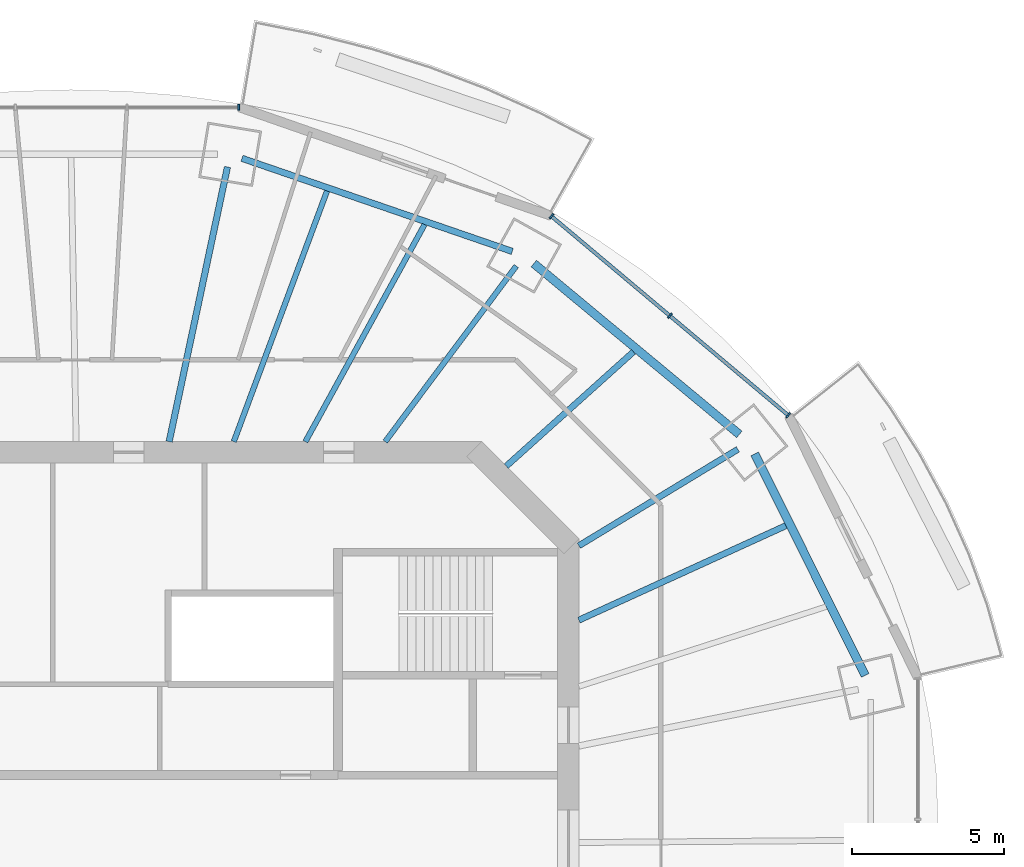
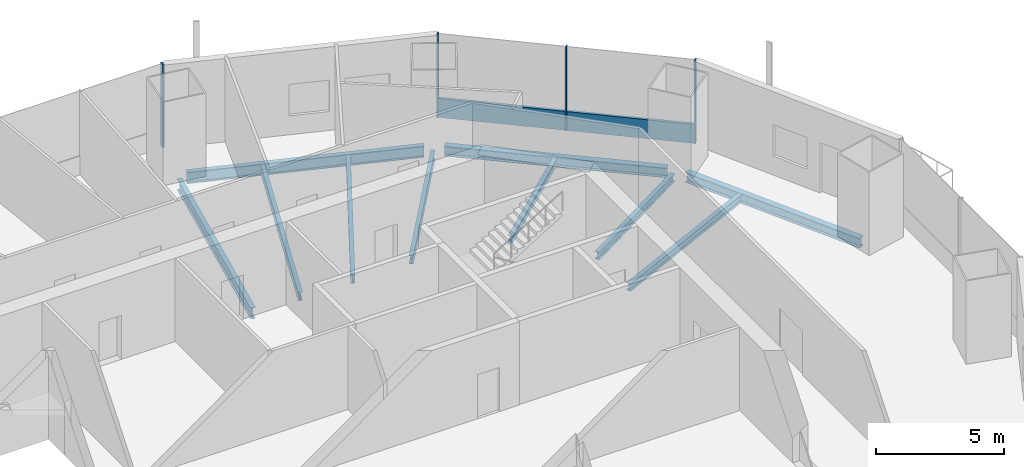
# One storey, part 6 of 16: 10 beams, 5 members, 2 elements without a shape of their own.
"""IFC4 building model written with IfcOpenShell, lengths in metres."""

import ifcopenshell
import ifcopenshell.guid

model = None  # the IFC model being written
_history = None  # IfcOwnerHistory: only IFC2X3 demands one
_inside = {}  # id of a spatial element -> (the spatial element, [elements in it])
_under = {}  # id of a project, library or spatial element -> (it, [spatial elements below it])
_declared = {}  # id of a project -> (the project, [libraries it declares])
_typed = {}  # id of a type object -> (the type object, [elements of that type])
_made_of = {}  # id of a material, layer set ... -> (it, [elements and type objects made of it])


def new_model(schema):
    """Start an empty IFC model of exactly this schema.

    Asked for "IFC4X3", IfcOpenShell would pick the latest addendum, in which some entities
    have other attributes; the version numbers below select the first issue.
    IFC2X3 requires an IfcOwnerHistory on every rooted entity: one is made here for all.
    """
    global model, _history
    if schema == "IFC4X3":
        model = ifcopenshell.file(schema_version=(4, 3, 0, 0))
    else:
        model = ifcopenshell.file(schema=schema)
    _inside.clear()
    _under.clear()
    _declared.clear()
    _typed.clear()
    _made_of.clear()
    _history = None
    if model.schema == "IFC2X3":
        org = make("IfcOrganization", Name="unknown")
        user = make(
            "IfcPersonAndOrganization",
            ThePerson=make("IfcPerson", FamilyName="unknown"),
            TheOrganization=org,
        )
        app = make(
            "IfcApplication",
            ApplicationDeveloper=org,
            Version="unknown",
            ApplicationFullName="unknown",
            ApplicationIdentifier="unknown",
        )
        _history = make(
            "IfcOwnerHistory",
            OwningUser=user,
            OwningApplication=app,
            ChangeAction="ADDED",
            CreationDate=0,
        )
    return model


def make(cls, **values):
    """One entity of the class cls with the attributes given. An attribute that is None is left unset."""
    return model.create_entity(
        cls, **{name: value for name, value in values.items() if value is not None}
    )


def rooted(cls, **values):
    """An entity with a GlobalId (a new one), such as an element, a storey or a relation."""
    return make(cls, GlobalId=ifcopenshell.guid.new(), OwnerHistory=_history, **values)


def si_unit(unit_type, name, prefix=None):
    """IfcSIUnit, for example si_unit("LENGTHUNIT", "METRE", prefix="MILLI")."""
    return make("IfcSIUnit", UnitType=unit_type, Prefix=prefix, Name=name)


def assignment(units):
    """IfcUnitAssignment: the units of a project."""
    return None if units is None else make("IfcUnitAssignment", Units=units)


def point(xyz):
    """IfcCartesianPoint."""
    return None if xyz is None else make("IfcCartesianPoint", Coordinates=xyz)


def direction(xyz):
    """IfcDirection."""
    return None if xyz is None else make("IfcDirection", DirectionRatios=xyz)


def frame(location, z_axis=None, x_axis=None):
    """IfcAxis2Placement3D, a coordinate frame: its origin and axes. An axis left out is left unset."""
    return make(
        "IfcAxis2Placement3D",
        Location=point(location),
        Axis=direction(z_axis),
        RefDirection=direction(x_axis),
    )


def frame_2d(location, x_axis=None):
    """IfcAxis2Placement2D, a coordinate frame in the plane: its origin and x axis."""
    return make(
        "IfcAxis2Placement2D", Location=point(location), RefDirection=direction(x_axis)
    )


def origin():
    """The frame at (0, 0, 0) with its axes left unset."""
    return frame((0.0, 0.0, 0.0))


def origin_2d():
    """The frame at (0, 0) in the plane with its x axis left unset."""
    return frame_2d((0.0, 0.0))


def place(relative_to, where):
    """IfcLocalPlacement: puts the frame where relative to a parent placement (None: the world)."""
    return make(
        "IfcLocalPlacement", PlacementRelTo=relative_to, RelativePlacement=where
    )


def context(
    kind, dimensions, precision=None, world=None, true_north=None, identifier=None
):
    """IfcGeometricRepresentationContext, for example the 3D "Model" context."""
    return make(
        "IfcGeometricRepresentationContext",
        ContextIdentifier=identifier,
        ContextType=kind,
        CoordinateSpaceDimension=dimensions,
        Precision=precision,
        WorldCoordinateSystem=world,
        TrueNorth=true_north,
    )


def subcontext(parent, identifier, kind, view, scale=None):
    """IfcGeometricRepresentationSubContext, for example "Body" below "Model"."""
    return make(
        "IfcGeometricRepresentationSubContext",
        ContextIdentifier=identifier,
        ContextType=kind,
        ParentContext=parent,
        TargetScale=scale,
        TargetView=view,
    )


def project(units=None, contexts=None):
    """IfcProject with its units and contexts."""
    return rooted(
        "IfcProject",
        Name="project",
        RepresentationContexts=contexts,
        UnitsInContext=assignment(units),
    )


def spatial(cls, under=None, at=None, **own):
    """A site, building, storey or space (cls), placed at a placement, below another one or the project."""
    s = rooted(cls, ObjectPlacement=at, **own)
    if under is not None:
        _under.setdefault(under.id(), (under, []))[1].append(s)
    return s


def profile(cls, at=None, kind="AREA", **sizes):
    """A parametric profile (cls). Its sizes go by their IFC names, for example OverallWidth=200.0."""
    return make(cls, ProfileType=kind, Position=at, **sizes)


def rectangle(**sizes):
    """IfcRectangleProfileDef."""
    return profile("IfcRectangleProfileDef", **sizes)


def i_section(**sizes):
    """IfcIShapeProfileDef."""
    return profile("IfcIShapeProfileDef", **sizes)


def extrude(swept, where, along, depth):
    """IfcExtrudedAreaSolid: the profile swept, set in the frame where, extruded along a direction by depth."""
    return make(
        "IfcExtrudedAreaSolid",
        SweptArea=swept,
        Position=where,
        ExtrudedDirection=direction(along),
        Depth=depth,
    )


def shape(context_of_items, identifier, shape_type, items):
    """IfcShapeRepresentation: the items that make up one representation, for example the "Body"."""
    return make(
        "IfcShapeRepresentation",
        ContextOfItems=context_of_items,
        RepresentationIdentifier=identifier,
        RepresentationType=shape_type,
        Items=items,
    )


def material(Name=None, Category=None):
    """IfcMaterial."""
    return make("IfcMaterial", Name=Name, Category=Category)


def material_profile(
    of_material, cross_section, Name=None, Category=None, Priority=None
):
    """IfcMaterialProfile: a cross section and its material."""
    return make(
        "IfcMaterialProfile",
        Name=Name,
        Material=of_material,
        Profile=cross_section,
        Priority=Priority,
        Category=Category,
    )


def profile_set(profiles, Name=None, composite=None):
    """IfcMaterialProfileSet."""
    return make(
        "IfcMaterialProfileSet",
        Name=Name,
        MaterialProfiles=profiles,
        CompositeProfile=composite,
    )


def made_of(thing, what):
    """Note that an element or type object is made of a material, layer set ...; save() writes the relation."""
    if what is not None:
        _made_of.setdefault(what.id(), (what, []))[1].append(thing)
    return thing


def type_object(cls, material=None, **own):
    """A type object (cls), such as IfcWallType, which elements share."""
    return made_of(rooted(cls, **own), material)


def element(
    cls,
    number,
    at=None,
    inside=None,
    cuts=None,
    type_object=None,
    material=None,
    context=None,
    identifier="Body",
    shape_type=None,
    held_by="IfcProductDefinitionShape",
    body=None,
    shapes=None,
    **own,
):
    """One element of the class cls, such as IfcWall. Its Tag is "e" and its number.

    at: its placement. inside: the storey or other place that contains it. cuts: it is an
    opening in that element (IfcRelVoidsElement). A single representation is given by context,
    identifier, shape_type and body (its items); several are given by shapes. held_by: the class
    of the entity that holds the representations. save() writes the other relations.
    """
    e = rooted(cls, Tag="e%d" % number, ObjectPlacement=at, **own)
    if body is not None:
        shapes = [shape(context, identifier, shape_type, body)]
    if shapes is not None:
        e.Representation = make(held_by, Representations=shapes)
    if inside is not None:
        _inside.setdefault(inside.id(), (inside, []))[1].append(e)
    if cuts is not None:
        rooted(
            "IfcRelVoidsElement", RelatingBuildingElement=cuts, RelatedOpeningElement=e
        )
    if type_object is not None:
        _typed.setdefault(type_object.id(), (type_object, []))[1].append(e)
    return made_of(e, material)


def aggregate(whole, parts):
    """IfcRelAggregates: a whole, such as a stair, and the parts it consists of."""
    return rooted("IfcRelAggregates", RelatingObject=whole, RelatedObjects=parts)


def save(model, path):
    """Write the relations noted so far, then the file.

    IfcRelAggregates (storeys below a building ...), IfcRelContainedInSpatialStructure (elements
    in a storey), IfcRelDefinesByType, IfcRelAssociatesMaterial and IfcRelDeclares: one each for
    every whole, place, type object, material and project.
    """
    for whole, parts in _under.values():
        aggregate(whole, parts)
    for where, things in _inside.values():
        rooted(
            "IfcRelContainedInSpatialStructure",
            RelatedElements=things,
            RelatingStructure=where,
        )
    for kind, things in _typed.values():
        rooted("IfcRelDefinesByType", RelatedObjects=things, RelatingType=kind)
    for what, things in _made_of.values():
        rooted("IfcRelAssociatesMaterial", RelatedObjects=things, RelatingMaterial=what)
    for by, libraries in _declared.values():
        rooted("IfcRelDeclares", RelatingContext=by, RelatedDefinitions=libraries)
    model.write(path)


model = new_model("IFC4")

# Units and contexts
model_context = context("Model", 3, precision=1e-05, world=origin(), true_north=direction((0.0, 1.0)))
body_context = subcontext(model_context, "Body", "Model", "MODEL_VIEW")
ifc_project = project(units=[si_unit("LENGTHUNIT", "METRE"), si_unit("AREAUNIT", "SQUARE_METRE"), si_unit("VOLUMEUNIT", "CUBIC_METRE"), si_unit("PLANEANGLEUNIT", "RADIAN"), si_unit("MASSUNIT", "GRAM", prefix="KILO")], contexts=[model_context])

# Site, building, storey
site_placement = place(None, origin())
site = spatial("IfcSite", under=ifc_project, at=site_placement, CompositionType="ELEMENT")
building_placement = place(site_placement, origin())
building = spatial("IfcBuilding", under=site, at=building_placement, Name="Marenthal Gate Tower", CompositionType="ELEMENT")
storey_placement = place(building_placement, frame((0.0, 0.0, 296.949951171875)))
storey = spatial("IfcBuildingStorey", under=building, at=storey_placement, Name="L66", CompositionType="ELEMENT", Elevation=296.949951171875)

# Curtain wall, members
ifc_material_1 = material(Name="Aluminium and glass", Category="aluminium")
curtain_wall_type = type_object("IfcCurtainWallType", Name="Curtain wall typical high", PredefinedType="NOTDEFINED", material=ifc_material_1)
curtain_wall_1_placement = place(storey_placement, origin())
curtain_wall_1 = element("IfcCurtainWall", 1, at=curtain_wall_1_placement, inside=storey, type_object=curtain_wall_type, Name="Curtain wall L66 bay 2", PredefinedType="NOTDEFINED")
ifc_material_2 = material(Name="Aluminium", Category="aluminium")
ifc_material_profile_1 = material_profile(ifc_material_2, rectangle(XDim=0.199951171875, YDim=0.06005859375, at=origin_2d()), Name="60x200 aluminium mullion")
ifc_profile_set_1 = profile_set([ifc_material_profile_1], Name="Aluminium")
member_type_1 = type_object("IfcMemberType", Name="Mullion 60x200 typical high", PredefinedType="MULLION", material=ifc_profile_set_1)
member_1_placement = place(storey_placement, frame((23.25390625, 14.218505859375, 0.0), z_axis=(0.0, 0.0, 1.0), x_axis=(-0.643479945432, -0.765462970905, 0.0)))
member_1 = element("IfcMember", 2, at=member_1_placement, type_object=member_type_1, Name="Mullion L66 bay 2.1", PredefinedType="MULLION", context=body_context, shape_type="SweptSolid", body=[
    extrude(rectangle(XDim=0.199951171875, YDim=0.06005859375, at=origin_2d()), origin(), (0.0, 0.0, 1.0), 3.969970703125),
])
member_2_placement = place(storey_placement, frame((19.3486328125, 17.50146484375, 0.0), z_axis=(0.0, 0.0, 1.0), x_axis=(-0.643479945432, -0.765462970905, 0.0)))
member_2 = element("IfcMember", 3, at=member_2_placement, type_object=member_type_1, Name="Mullion L66 bay 2.2", PredefinedType="MULLION", context=body_context, shape_type="SweptSolid", body=[
    extrude(rectangle(XDim=0.199951171875, YDim=0.06005859375, at=origin_2d()), origin(), (0.0, 0.0, 1.0), 3.969970703125),
])
member_3_placement = place(storey_placement, frame((15.443359375, 20.784423828125, 0.0), z_axis=(0.0, 0.0, 1.0), x_axis=(-0.643479945432, -0.765462970905, 0.0)))
member_3 = element("IfcMember", 4, at=member_3_placement, type_object=member_type_1, Name="Mullion L66 bay 2.3", PredefinedType="MULLION", context=body_context, shape_type="SweptSolid", body=[
    extrude(rectangle(XDim=0.199951171875, YDim=0.06005859375, at=origin_2d()), origin(), (0.0, 0.0, 1.0), 3.969970703125),
])

# Curtain wall, member
curtain_wall_2_placement = place(storey_placement, origin())
curtain_wall_2 = element("IfcCurtainWall", 5, at=curtain_wall_2_placement, inside=storey, type_object=curtain_wall_type, Name="Curtain wall L66 bay 4", PredefinedType="NOTDEFINED")
member_4_placement = place(storey_placement, frame((5.12548828125, 24.3779296875, 0.0), z_axis=(0.0, 0.0, 1.0), x_axis=(0.0, -1.0, 0.0)))
member_4 = element("IfcMember", 6, at=member_4_placement, type_object=member_type_1, Name="Mullion L66 bay 4.1", PredefinedType="MULLION", context=body_context, shape_type="SweptSolid", body=[
    extrude(rectangle(XDim=0.199951171875, YDim=0.06005859375, at=origin_2d()), origin(), (0.0, 0.0, 1.0), 3.969970703125),
])
aggregate(curtain_wall_2, [member_4])

# Member
ifc_material_3 = material(Name="Aluminium", Category="aluminium")
ifc_material_profile_2 = material_profile(ifc_material_3, rectangle(XDim=0.1201171875, YDim=0.89990234375, at=origin_2d()), Name="120x900 aluminium transom")
ifc_profile_set_2 = profile_set([ifc_material_profile_2], Name="Aluminium")
member_type_2 = type_object("IfcMemberType", Name="Transom 120x900 typical high", PredefinedType="USERDEFINED", material=ifc_profile_set_2)
member_5_placement = place(storey_placement, frame((23.23095703125, 14.23779296875, 0.449951171875), z_axis=(-0.765460155219, 0.643483294866, 0.0), x_axis=(-0.643483294866, -0.765460155219, 0.0)))
member_5 = element("IfcMember", 7, at=member_5_placement, type_object=member_type_2, Name="Transom L66 bay 2", ObjectType="TRANSOM", PredefinedType="USERDEFINED", context=body_context, shape_type="SweptSolid", body=[
    extrude(rectangle(XDim=0.1201171875, YDim=0.89990234375, at=origin_2d()), origin(), (0.0, 0.0, 1.0), 10.143798828125),
])

aggregate(curtain_wall_1, [member_1, member_2, member_3, member_5])

# Beams
ifc_material_4 = material(Name="Steel S355", Category="steel")
ifc_material_profile_3 = material_profile(ifc_material_4, i_section(OverallWidth=0.202880859375, OverallDepth=0.302001953125, WebThickness=0.007568359375, FlangeThickness=0.01318359375, FilletRadius=0.0126953125, at=origin_2d()), Name="W310X60")
ifc_profile_set_3 = profile_set([ifc_material_profile_3], Name="Steel S355")
beam_type_1 = type_object("IfcBeamType", Name="W310X60 beam", PredefinedType="BEAM", material=ifc_profile_set_3)
beam_1_placement = place(storey_placement, frame((18.148193359375, 16.3115234375, -0.3310546875), z_axis=(-0.743743846244, -0.668464726948, 0.0), x_axis=(0.668464726948, -0.743743846244, 0.0)))
element("IfcBeam", 8, at=beam_1_placement, inside=storey, type_object=beam_type_1, Name="BM-L66-19", PredefinedType="BEAM", context=body_context, shape_type="SweptSolid", body=[
    extrude(i_section(OverallWidth=0.202880859375, OverallDepth=0.302001953125, WebThickness=0.007568359375, FlangeThickness=0.01318359375, FilletRadius=0.0126953125, at=origin_2d()), origin(), (0.0, 0.0, 1.0), 5.639892578125),
])
ifc_material_5 = material(Name="Steel S355", Category="steel")
ifc_material_profile_4 = material_profile(ifc_material_5, i_section(OverallWidth=0.205078125, OverallDepth=0.35302734375, WebThickness=0.009521484375, FlangeThickness=0.016845703125, FilletRadius=0.014892578125, at=origin_2d()), Name="W360X79")
ifc_profile_set_4 = profile_set([ifc_material_profile_4], Name="Steel S355")
beam_type_2 = type_object("IfcBeamType", Name="W360X79 beam", PredefinedType="BEAM", material=ifc_profile_set_4)
beam_2_placement = place(storey_placement, frame((21.593017578125, 13.0966796875, -0.3564453125), z_axis=(-0.855023977864, -0.518588466202, 0.0), x_axis=(0.518588466202, -0.855023977864, 0.0)))
element("IfcBeam", 9, at=beam_2_placement, inside=storey, type_object=beam_type_2, Name="BM-L66-02", PredefinedType="BEAM", context=body_context, shape_type="SweptSolid", body=[
    extrude(i_section(OverallWidth=0.205078125, OverallDepth=0.35302734375, WebThickness=0.009521484375, FlangeThickness=0.016845703125, FilletRadius=0.014892578125, at=origin_2d()), origin(), (0.0, 0.0, 1.0), 6.1318359375),
])
beam_3_placement = place(storey_placement, frame((23.1748046875, 10.576904296875, -0.3564453125), z_axis=(-0.909732366313, -0.415195160958, 0.0), x_axis=(0.415195160958, -0.909732366313, 0.0)))
element("IfcBeam", 10, at=beam_3_placement, inside=storey, type_object=beam_type_2, Name="BM-L66-18", PredefinedType="BEAM", context=body_context, shape_type="SweptSolid", body=[
    extrude(i_section(OverallWidth=0.205078125, OverallDepth=0.35302734375, WebThickness=0.009521484375, FlangeThickness=0.016845703125, FilletRadius=0.014892578125, at=origin_2d()), origin(), (0.0, 0.0, 1.0), 7.501953125),
])
ifc_material_6 = material(Name="Steel S355", Category="steel")
ifc_material_profile_5 = material_profile(ifc_material_6, i_section(OverallWidth=0.180908203125, OverallDepth=0.4169921875, WebThickness=0.010986328125, FlangeThickness=0.018310546875, FilletRadius=0.01025390625, at=origin_2d()), Name="W410X85")
ifc_profile_set_5 = profile_set([ifc_material_profile_5], Name="Steel S355")
beam_type_3 = type_object("IfcBeamType", Name="W410X85 beam", PredefinedType="BEAM", material=ifc_profile_set_5)
beam_4_placement = place(storey_placement, frame((14.283447265625, 19.142578125, -0.388427734375), z_axis=(-0.598041666214, -0.801465012008, 0.0), x_axis=(0.801465012008, -0.598041666214, 0.0)))
element("IfcBeam", 11, at=beam_4_placement, inside=storey, type_object=beam_type_3, Name="BM-L66-03", PredefinedType="BEAM", context=body_context, shape_type="SweptSolid", body=[
    extrude(i_section(OverallWidth=0.180908203125, OverallDepth=0.4169921875, WebThickness=0.010986328125, FlangeThickness=0.018310546875, FilletRadius=0.01025390625, at=origin_2d()), origin(), (0.0, 0.0, 1.0), 7.227294921875),
])
beam_5_placement = place(storey_placement, frame((11.259033203125, 20.508544921875, -0.388427734375), z_axis=(-0.481240344401, -0.876588689706, 0.0), x_axis=(0.876588689706, -0.481240344401, 0.0)))
element("IfcBeam", 12, at=beam_5_placement, inside=storey, type_object=beam_type_3, Name="BM-L66-20", PredefinedType="BEAM", context=body_context, shape_type="SweptSolid", body=[
    extrude(i_section(OverallWidth=0.180908203125, OverallDepth=0.4169921875, WebThickness=0.010986328125, FlangeThickness=0.018310546875, FilletRadius=0.01025390625, at=origin_2d()), origin(), (0.0, 0.0, 1.0), 8.166259765625),
])
beam_6_placement = place(storey_placement, frame((8.0419921875, 21.6162109375, -0.388427734375), z_axis=(-0.348701480511, -0.937233843547, 0.0), x_axis=(0.937233843547, -0.348701480511, 0.0)))
element("IfcBeam", 13, at=beam_6_placement, inside=storey, type_object=beam_type_3, Name="BM-L66-21", PredefinedType="BEAM", context=body_context, shape_type="SweptSolid", body=[
    extrude(i_section(OverallWidth=0.180908203125, OverallDepth=0.4169921875, WebThickness=0.010986328125, FlangeThickness=0.018310546875, FilletRadius=0.01025390625, at=origin_2d()), origin(), (0.0, 0.0, 1.0), 8.819580078125),
])
ifc_material_7 = material(Name="Steel S355", Category="steel")
ifc_material_profile_6 = material_profile(ifc_material_7, i_section(OverallWidth=0.279052734375, OverallDepth=0.4619140625, WebThickness=0.0107421875, FlangeThickness=0.017333984375, FilletRadius=0.010009765625, at=origin_2d()), Name="W460X113")
ifc_profile_set_6 = profile_set([ifc_material_profile_6], Name="Steel S355")
beam_type_4 = type_object("IfcBeamType", Name="W460X113 beam", PredefinedType="BEAM", material=ifc_profile_set_6)
beam_7_placement = place(storey_placement, frame((25.790283203125, 5.64111328125, -0.410888671875), z_axis=(-0.446016397949, 0.895024788908, 0.0), x_axis=(-0.895024788908, -0.446016397949, 0.0)))
element("IfcBeam", 14, at=beam_7_placement, inside=storey, type_object=beam_type_4, Name="BM-L66-41", PredefinedType="BEAM", context=body_context, shape_type="SweptSolid", body=[
    extrude(i_section(OverallWidth=0.279052734375, OverallDepth=0.4619140625, WebThickness=0.0107421875, FlangeThickness=0.017333984375, FilletRadius=0.010009765625, at=origin_2d()), origin(), (0.0, 0.0, 1.0), 8.159912109375),
])
beam_8_placement = place(storey_placement, frame((21.6416015625, 13.5888671875, -0.410888671875), z_axis=(-0.769010658492, 0.639235955752, 0.0), x_axis=(-0.639235955752, -0.769010658492, 0.0)))
element("IfcBeam", 15, at=beam_8_placement, inside=storey, type_object=beam_type_4, Name="BM-L66-42", PredefinedType="BEAM", context=body_context, shape_type="SweptSolid", body=[
    extrude(i_section(OverallWidth=0.279052734375, OverallDepth=0.4619140625, WebThickness=0.0107421875, FlangeThickness=0.017333984375, FilletRadius=0.010009765625, at=origin_2d()), origin(), (0.0, 0.0, 1.0), 8.815673828125),
])
ifc_material_8 = material(Name="Steel S355", Category="steel")
ifc_material_profile_7 = material_profile(ifc_material_8, i_section(OverallWidth=0.2099609375, OverallDepth=0.535888671875, WebThickness=0.010986328125, FlangeThickness=0.017333984375, FilletRadius=0.0126953125, at=origin_2d()), Name="W530X101")
ifc_profile_set_7 = profile_set([ifc_material_profile_7], Name="Steel S355")
beam_type_5 = type_object("IfcBeamType", Name="W530X101 beam", PredefinedType="BEAM", material=ifc_profile_set_7)
beam_9_placement = place(storey_placement, frame((4.758544921875, 22.41162109375, -0.447998046875), z_axis=(-0.207678454647, -0.97819714755, 0.0), x_axis=(0.97819714755, -0.207678454647, 0.0)))
element("IfcBeam", 16, at=beam_9_placement, inside=storey, type_object=beam_type_5, Name="BM-L66-04", PredefinedType="BEAM", context=body_context, shape_type="SweptSolid", body=[
    extrude(i_section(OverallWidth=0.2099609375, OverallDepth=0.535888671875, WebThickness=0.010986328125, FlangeThickness=0.017333984375, FilletRadius=0.0126953125, at=origin_2d()), origin(), (0.0, 0.0, 1.0), 9.263427734375),
])
ifc_material_9 = material(Name="Steel S355", Category="steel")
ifc_material_profile_8 = material_profile(ifc_material_9, i_section(OverallWidth=0.2119140625, OverallDepth=0.5439453125, WebThickness=0.01318359375, FlangeThickness=0.021240234375, FilletRadius=0.0126953125, at=origin_2d()), Name="W530X123")
ifc_profile_set_8 = profile_set([ifc_material_profile_8], Name="Steel S355")
beam_type_6 = type_object("IfcBeamType", Name="W530X123 beam", PredefinedType="BEAM", material=ifc_profile_set_8)
beam_10_placement = place(storey_placement, frame((14.151123046875, 19.624755859375, -0.451904296875), z_axis=(-0.945516546664, 0.325574046853, 0.0), x_axis=(-0.325574046853, -0.945516546664, 0.0)))
element("IfcBeam", 17, at=beam_10_placement, inside=storey, type_object=beam_type_6, Name="BM-L66-43", PredefinedType="BEAM", context=body_context, shape_type="SweptSolid", body=[
    extrude(i_section(OverallWidth=0.2119140625, OverallDepth=0.5439453125, WebThickness=0.01318359375, FlangeThickness=0.021240234375, FilletRadius=0.0126953125, at=origin_2d()), origin(), (0.0, 0.0, 1.0), 9.427490234375),
])

save(model, "model.ifc")
